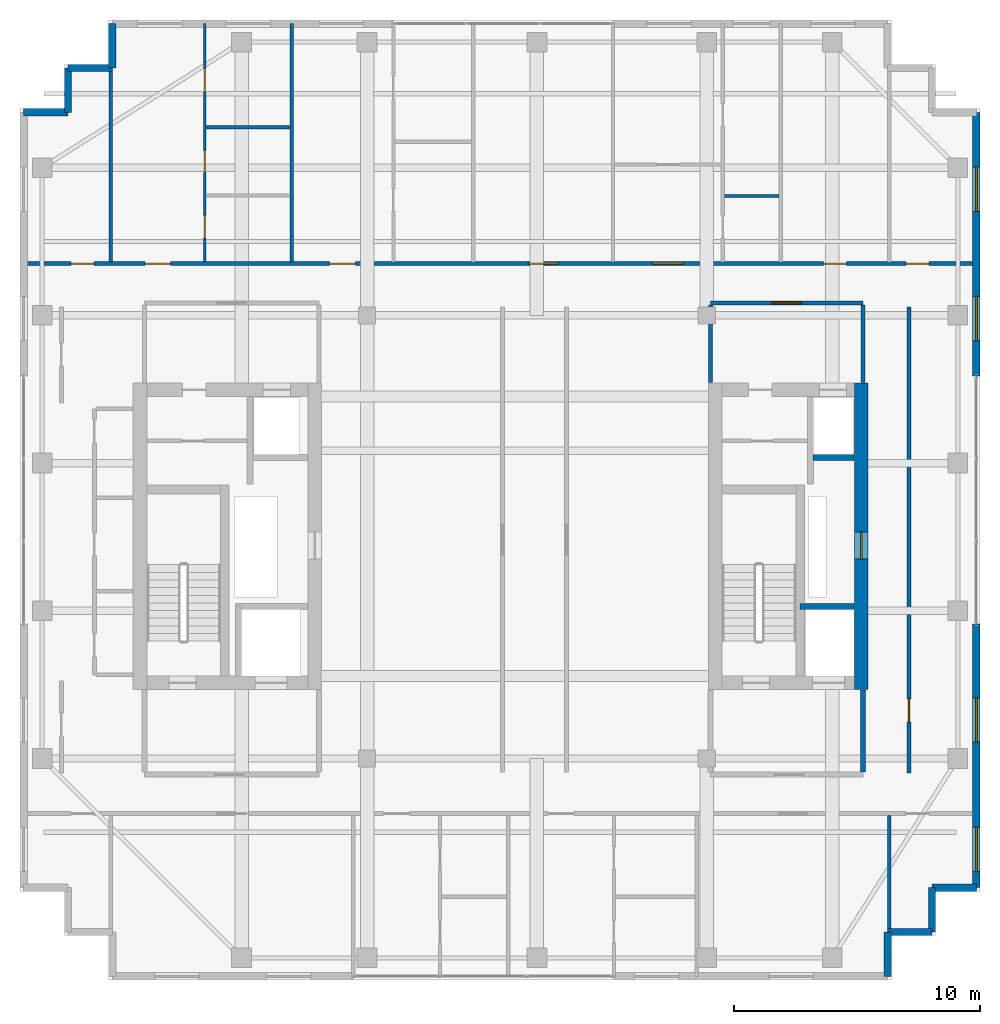
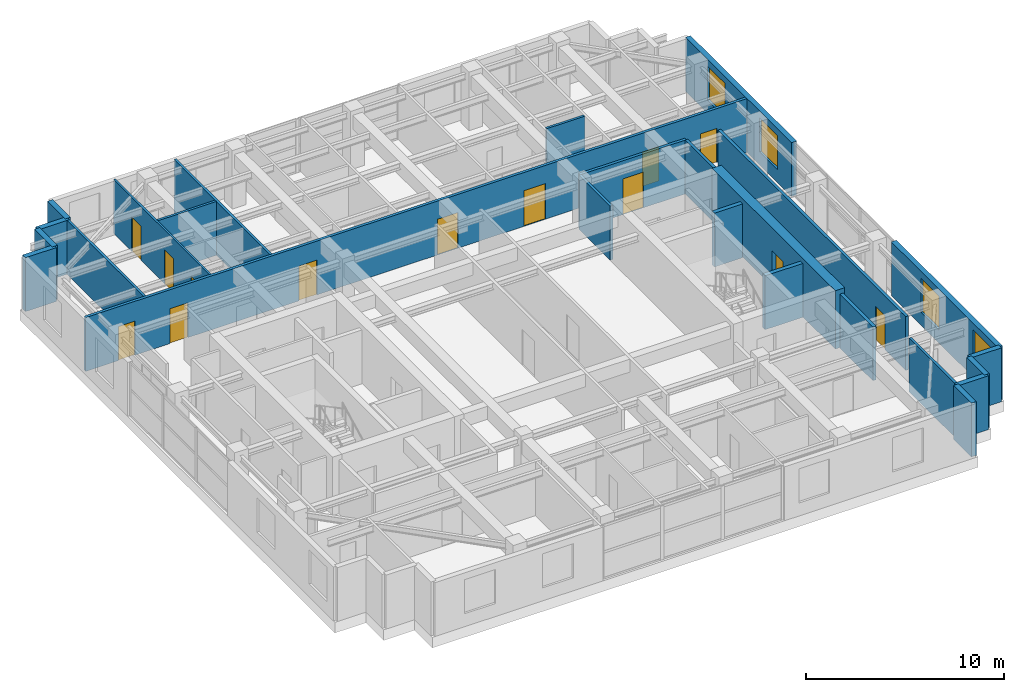
# One storey, part 19 of 21: 25 walls, 13 doors, 4 windows, 17 openings.
"""IFC4 building model written with IfcOpenShell, lengths in metres."""

from ifc_helpers import new_model, si_unit, direction, frame, frame_2d, origin, place, context, subcontext, project, spatial, rectangle, extrude, source, transform, mapped, material, layer, layer_set, type_object, element, fill, save


model = new_model("IFC4")

# Units and contexts
model_context = context("Model", 3, precision=1e-05, world=origin(), true_north=direction((0.0, 1.0)))
body_context = subcontext(model_context, "Body", "Model", "MODEL_VIEW")
ifc_project = project(units=[si_unit("LENGTHUNIT", "METRE"), si_unit("AREAUNIT", "SQUARE_METRE"), si_unit("VOLUMEUNIT", "CUBIC_METRE"), si_unit("PLANEANGLEUNIT", "RADIAN"), si_unit("MASSUNIT", "GRAM", prefix="KILO")], contexts=[model_context])

# Site, building, storey
site_placement = place(None, origin())
site = spatial("IfcSite", under=ifc_project, at=site_placement, CompositionType="ELEMENT")
building_placement = place(site_placement, origin())
building = spatial("IfcBuilding", under=site, at=building_placement, Name="Khoralis Quay Care Tower", CompositionType="ELEMENT")
storey_placement = place(building_placement, frame((0.0, 0.0, 267.300048828125)))
storey = spatial("IfcBuildingStorey", under=building, at=storey_placement, Name="L70", CompositionType="ELEMENT", Elevation=267.300048828125)

# Wall
ifc_material_1 = material(Name="Gypsum plasterboard on acoustic metal stud")
ifc_layer_1 = layer(ifc_material_1, 0.199951171875)
ifc_layer_set_1 = layer_set([ifc_layer_1], Name="Gypsum plasterboard on acoustic metal stud")
wall_type_1 = type_object("IfcWallType", Name="WL-COMP-200", PredefinedType="PARTITIONING", material=ifc_layer_set_1)
wall_1_placement = place(storey_placement, frame((37.25, 11.445068359375, 0.0), z_axis=(0.0, 0.0, 1.0), x_axis=(0.0, 1.0, 0.0)))
element("IfcWall", 1, at=wall_1_placement, inside=storey, type_object=wall_type_1, Name="L70 East Firefighting Lobby East Wall", PredefinedType="PARTITIONING", context=body_context, shape_type="SweptSolid", body=[
    extrude(rectangle(XDim=3.3349609375, YDim=0.199951171875, at=frame_2d((1.66748046875, 0.0))), origin(), (0.0, 0.0, 1.0), 3.320068359375),
])

# Wall, opening, door
ifc_material_2 = material(Name="Concrete C65/80", Category="concrete")
ifc_layer_2 = layer(ifc_material_2, 0.550048828125)
ifc_layer_set_2 = layer_set([ifc_layer_2], Name="Concrete C65/80")
wall_type_2 = type_object("IfcWallType", Name="WL-CORE-550", PredefinedType="SHEAR", material=ifc_layer_set_2)
wall_2_placement = place(storey_placement, frame((37.175048828125, 14.800048828125, 0.0), z_axis=(0.0, 0.0, 1.0), x_axis=(0.0, 1.0, 0.0)))
wall_2 = element("IfcWall", 2, at=wall_2_placement, inside=storey, type_object=wall_type_2, Name="L70 ECORE East Shear Wall", PredefinedType="SHEAR", context=body_context, shape_type="SweptSolid", body=[
    extrude(rectangle(XDim=12.449951171875, YDim=0.550048828125, at=frame_2d((6.22509765625, 0.0))), origin(), (0.0, 0.0, 1.0), 3.599853515625),
])
opening_1_placement = place(wall_2_placement, frame((5.300048828125, 0.0, 0.0)))
opening_1 = element("IfcOpeningElement", 3, at=opening_1_placement, cuts=wall_2, Name="Opening SD1", PredefinedType="OPENING", context=body_context, shape_type="SweptSolid", body=[
    extrude(rectangle(XDim=1.10009765625, YDim=2.199951171875, at=frame_2d((0.550048828125, 1.10009765625))), frame((0.0, 0.28515625, 0.0), z_axis=(0.0, -1.0, 0.0), x_axis=(1.0, 0.0, 0.0)), (0.0, 0.0, 1.0), 0.570068359375),
])
ifc_material_3 = material(Name="Fire-rated painted steel", Category="steel")
door_type_1 = type_object("IfcDoorType", Name="DR-STAIR-1100X2200", OperationType="NOTDEFINED", PredefinedType="DOOR", material=ifc_material_3)
shared_shape_1 = source(origin(), body_context, "Body", "SweptSolid", [
    extrude(rectangle(XDim=1.10009765625, YDim=2.199951171875, at=frame_2d((0.550048828125, 1.10009765625))), frame((0.0, 0.02490234375, 0.0), z_axis=(0.0, -1.0, 0.0), x_axis=(1.0, 0.0, 0.0)), (0.0, 0.0, 1.0), 0.050048828125),
])
door_1_placement = place(opening_1_placement, frame((1.10009765625, 0.0, 0.0), z_axis=(0.0, 0.0, 1.0), x_axis=(-1.0, 0.0, 0.0)))
door_1 = element("IfcDoor", 4, at=door_1_placement, inside=storey, type_object=door_type_1, Name="L70 East MEP Riser Door", OperationType="SINGLE_SWING_LEFT", OverallHeight=2.199951171875, OverallWidth=1.10009765625, PredefinedType="DOOR", context=body_context, shape_type="MappedRepresentation", body=[
    mapped(shared_shape_1, transform((0.0, 0.0, 0.0), scale=1.0)),
])
fill(opening_1, door_1)

ifc_layer_3 = layer(ifc_material_1, 0.1650390625)
ifc_layer_set_3 = layer_set([ifc_layer_3], Name="Gypsum plasterboard on acoustic metal stud")
wall_type_3 = type_object("IfcWallType", Name="WL-CORR-165", PredefinedType="PARTITIONING", material=ifc_layer_set_3)
wall_3_placement = place(storey_placement, frame((31.050048828125, 30.5, 0.0), z_axis=(0.0, 0.0, 1.0), x_axis=(1.0, 0.0, 0.0)))
wall_3 = element("IfcWall", 5, at=wall_3_placement, inside=storey, type_object=wall_type_3, Name="L70 East Lift Lobby North Wall", PredefinedType="PARTITIONING", context=body_context, shape_type="SweptSolid", body=[
    extrude(rectangle(XDim=6.199951171875, YDim=0.1650390625, at=frame_2d((3.10009765625, 0.0))), origin(), (0.0, 0.0, 1.0), 3.320068359375),
])
opening_2_placement = place(wall_3_placement, frame((2.5, 0.0, 0.0)))
opening_2 = element("IfcOpeningElement", 6, at=opening_2_placement, cuts=wall_3, Name="Opening FD1", PredefinedType="OPENING", context=body_context, shape_type="SweptSolid", body=[
    extrude(rectangle(XDim=1.199951171875, YDim=2.199951171875, at=frame_2d((0.60009765625, 1.10009765625))), frame((0.0, 0.092529296875, 0.0), z_axis=(0.0, -1.0, 0.0), x_axis=(1.0, 0.0, 0.0)), (0.0, 0.0, 1.0), 0.18505859375),
])
door_type_2 = type_object("IfcDoorType", Name="DR-FFL-1200X2200", OperationType="NOTDEFINED", PredefinedType="DOOR", material=ifc_material_3)
shared_shape_2 = source(origin(), body_context, "Body", "SweptSolid", [
    extrude(rectangle(XDim=1.199951171875, YDim=2.199951171875, at=frame_2d((0.60009765625, 1.10009765625))), frame((0.0, 0.02490234375, 0.0), z_axis=(0.0, -1.0, 0.0), x_axis=(1.0, 0.0, 0.0)), (0.0, 0.0, 1.0), 0.050048828125),
])
door_2_placement = place(opening_2_placement, origin())
door_2 = element("IfcDoor", 7, at=door_2_placement, inside=storey, type_object=door_type_2, Name="L70 East Lift Lobby Double Door", OperationType="DOUBLE_DOOR_SINGLE_SWING", OverallHeight=2.199951171875, OverallWidth=1.199951171875, PredefinedType="DOOR", context=body_context, shape_type="MappedRepresentation", body=[
    mapped(shared_shape_2, transform((0.0, 0.0, 0.0), scale=1.0)),
])
fill(opening_2, door_2)

# Walls
for number, where, z_axis, x_axis, name in (
    (8, (31.050048828125, 27.27001953125, 0.0), (0.0, 0.0, 1.0), (0.0, 1.0, 0.0), "L70 East Lift Lobby West Wall"),
    (9, (37.25, 27.27001953125, 0.0), (0.0, 0.0, 1.0), (0.0, 1.0, 0.0), "L70 East Lift Lobby East Wall"),
):
    element("IfcWall", number, at=place(storey_placement, frame(where, z_axis=z_axis, x_axis=x_axis)), inside=storey, type_object=wall_type_3, Name=name, PredefinedType="PARTITIONING", context=body_context, shape_type="SweptSolid", body=[
        extrude(rectangle(XDim=3.152587890625, YDim=0.1650390625, at=frame_2d((1.576171875, 0.0))), origin(), (0.0, 0.0, 1.0), 3.320068359375),
    ])

# Wall, openings, doors
wall_4_placement = place(storey_placement, frame((3.14501953125, 32.10009765625, 0.0), z_axis=(0.0, 0.0, 1.0), x_axis=(1.0, 0.0, 0.0)))
wall_4 = element("IfcWall", 10, at=wall_4_placement, inside=storey, type_object=wall_type_3, Name="L70 North Main Corridor Wall", PredefinedType="PARTITIONING", context=body_context, shape_type="SweptSolid", body=[
    extrude(rectangle(XDim=38.7099609375, YDim=0.1650390625, at=frame_2d((19.35498046875, 0.0))), origin(), (0.0, 0.0, 1.0), 3.320068359375),
])
opening_3_placement = place(wall_4_placement, frame((4.923583984375, 0.0, 0.0)))
opening_3 = element("IfcOpeningElement", 11, at=opening_3_placement, cuts=wall_4, Name="Opening UD1", PredefinedType="OPENING", context=body_context, shape_type="SweptSolid", body=[
    extrude(rectangle(XDim=1.050048828125, YDim=2.14990234375, at=frame_2d((0.52490234375, 1.074951171875))), frame((0.0, 0.092529296875, 0.0), z_axis=(0.0, -1.0, 0.0), x_axis=(1.0, 0.0, 0.0)), (0.0, 0.0, 1.0), 0.18505859375),
])
opening_4_placement = place(wall_4_placement, frame((12.43359375, 0.0, 0.0)))
opening_4 = element("IfcOpeningElement", 12, at=opening_4_placement, cuts=wall_4, Name="Opening UD1", PredefinedType="OPENING", context=body_context, shape_type="SweptSolid", body=[
    extrude(rectangle(XDim=1.050048828125, YDim=2.14990234375, at=frame_2d((0.52490234375, 1.074951171875))), frame((0.0, 0.092529296875, 0.0), z_axis=(0.0, -1.0, 0.0), x_axis=(1.0, 0.0, 0.0)), (0.0, 0.0, 1.0), 0.18505859375),
])
opening_5_placement = place(wall_4_placement, frame((20.5048828125, 0.0, 0.0)))
opening_5 = element("IfcOpeningElement", 13, at=opening_5_placement, cuts=wall_4, Name="Opening FD1", PredefinedType="OPENING", context=body_context, shape_type="SweptSolid", body=[
    extrude(rectangle(XDim=1.199951171875, YDim=2.199951171875, at=frame_2d((0.60009765625, 1.10009765625))), frame((0.0, 0.092529296875, 0.0), z_axis=(0.0, -1.0, 0.0), x_axis=(1.0, 0.0, 0.0)), (0.0, 0.0, 1.0), 0.18505859375),
])
opening_6_placement = place(wall_4_placement, frame((25.550048828125, 0.0, 0.0)))
opening_6 = element("IfcOpeningElement", 14, at=opening_6_placement, cuts=wall_4, Name="Opening CD1", PredefinedType="OPENING", context=body_context, shape_type="SweptSolid", body=[
    extrude(rectangle(XDim=1.25, YDim=2.199951171875, at=frame_2d((0.625, 1.10009765625))), frame((0.0, 0.092529296875, 0.0), z_axis=(0.0, -1.0, 0.0), x_axis=(1.0, 0.0, 0.0)), (0.0, 0.0, 1.0), 0.18505859375),
])
opening_7_placement = place(wall_4_placement, frame((32.489990234375, 0.0, 0.0)))
opening_7 = element("IfcOpeningElement", 15, at=opening_7_placement, cuts=wall_4, Name="Opening ID1", PredefinedType="OPENING", context=body_context, shape_type="SweptSolid", body=[
    extrude(rectangle(XDim=0.949951171875, YDim=2.10009765625, at=frame_2d((0.47509765625, 1.050048828125))), frame((0.0, 0.092529296875, 0.0), z_axis=(0.0, -1.0, 0.0), x_axis=(1.0, 0.0, 0.0)), (0.0, 0.0, 1.0), 0.18505859375),
])
opening_8_placement = place(wall_4_placement, frame((1.919921875, 0.0, 0.0)))
opening_8 = element("IfcOpeningElement", 16, at=opening_8_placement, cuts=wall_4, Name="Opening ID1", PredefinedType="OPENING", context=body_context, shape_type="SweptSolid", body=[
    extrude(rectangle(XDim=0.949951171875, YDim=2.10009765625, at=frame_2d((0.47509765625, 1.050048828125))), frame((0.0, 0.092529296875, 0.0), z_axis=(0.0, -1.0, 0.0), x_axis=(1.0, 0.0, 0.0)), (0.0, 0.0, 1.0), 0.18505859375),
])
opening_9_placement = place(wall_4_placement, frame((35.840087890625, 0.0, 0.0)))
opening_9 = element("IfcOpeningElement", 17, at=opening_9_placement, cuts=wall_4, Name="Opening ID1", PredefinedType="OPENING", context=body_context, shape_type="SweptSolid", body=[
    extrude(rectangle(XDim=0.949951171875, YDim=2.10009765625, at=frame_2d((0.47509765625, 1.050048828125))), frame((0.0, 0.092529296875, 0.0), z_axis=(0.0, -1.0, 0.0), x_axis=(1.0, 0.0, 0.0)), (0.0, 0.0, 1.0), 0.18505859375),
])
door_3_placement = place(opening_5_placement, origin())
door_3 = element("IfcDoor", 18, at=door_3_placement, inside=storey, type_object=door_type_2, Name="L70 Resident Communal Day Lounge Door", OperationType="DOUBLE_DOOR_SINGLE_SWING", OverallHeight=2.199951171875, OverallWidth=1.199951171875, PredefinedType="DOOR", context=body_context, shape_type="MappedRepresentation", body=[
    mapped(shared_shape_2, transform((0.0, 0.0, 0.0), scale=1.0)),
])
fill(opening_5, door_3)
ifc_material_4 = material(Name="Acoustic hardwood timber", Category="wood")
door_type_3 = type_object("IfcDoorType", Name="DR-CARE-1250X2200", OperationType="NOTDEFINED", PredefinedType="DOOR", material=ifc_material_4)
shared_shape_3 = source(origin(), body_context, "Body", "SweptSolid", [
    extrude(rectangle(XDim=1.25, YDim=2.199951171875, at=frame_2d((0.625, 1.10009765625))), frame((0.0, 0.02490234375, 0.0), z_axis=(0.0, -1.0, 0.0), x_axis=(1.0, 0.0, 0.0)), (0.0, 0.0, 1.0), 0.050048828125),
])
door_4_placement = place(opening_6_placement, origin())
door_4 = element("IfcDoor", 19, at=door_4_placement, inside=storey, type_object=door_type_3, Name="L70 Care Suite NB3 Clinical Door", OperationType="SINGLE_SWING_LEFT", OverallHeight=2.199951171875, OverallWidth=1.25, PredefinedType="DOOR", context=body_context, shape_type="MappedRepresentation", body=[
    mapped(shared_shape_3, transform((0.0, 0.0, 0.0), scale=1.0)),
])
fill(opening_6, door_4)
door_type_4 = type_object("IfcDoorType", Name="DR-ROOM-950X2100", OperationType="NOTDEFINED", PredefinedType="DOOR", material=ifc_material_4)
shared_shape_4 = source(origin(), body_context, "Body", "SweptSolid", [
    extrude(rectangle(XDim=0.949951171875, YDim=2.10009765625, at=frame_2d((0.47509765625, 1.050048828125))), frame((0.0, 0.02490234375, 0.0), z_axis=(0.0, -1.0, 0.0), x_axis=(1.0, 0.0, 0.0)), (0.0, 0.0, 1.0), 0.050048828125),
])
door_5_placement = place(opening_7_placement, origin())
door_5 = element("IfcDoor", 20, at=door_5_placement, inside=storey, type_object=door_type_4, Name="L70 Family Case Conference Room Door", OperationType="SINGLE_SWING_LEFT", OverallHeight=2.10009765625, OverallWidth=0.949951171875, PredefinedType="DOOR", context=body_context, shape_type="MappedRepresentation", body=[
    mapped(shared_shape_4, transform((0.0, 0.0, 0.0), scale=1.0)),
])
fill(opening_7, door_5)
door_6_placement = place(opening_8_placement, origin())
door_6 = element("IfcDoor", 21, at=door_6_placement, inside=storey, type_object=door_type_4, Name="L70 NW Corner Door", OperationType="SINGLE_SWING_RIGHT", OverallHeight=2.10009765625, OverallWidth=0.949951171875, PredefinedType="DOOR", context=body_context, shape_type="MappedRepresentation", body=[
    mapped(shared_shape_4, transform((0.0, 0.0, 0.0), scale=1.0)),
])
fill(opening_8, door_6)
door_7_placement = place(opening_9_placement, origin())
door_7 = element("IfcDoor", 22, at=door_7_placement, inside=storey, type_object=door_type_4, Name="L70 NE Corner Door", OperationType="SINGLE_SWING_LEFT", OverallHeight=2.10009765625, OverallWidth=0.949951171875, PredefinedType="DOOR", context=body_context, shape_type="MappedRepresentation", body=[
    mapped(shared_shape_4, transform((0.0, 0.0, 0.0), scale=1.0)),
])
fill(opening_9, door_7)
door_type_5 = type_object("IfcDoorType", Name="DR-SUITE-1050X2150", OperationType="NOTDEFINED", PredefinedType="DOOR", material=ifc_material_4)
shared_shape_5 = source(origin(), body_context, "Body", "SweptSolid", [
    extrude(rectangle(XDim=1.050048828125, YDim=2.14990234375, at=frame_2d((0.52490234375, 1.074951171875))), frame((0.0, 0.02490234375, 0.0), z_axis=(0.0, -1.0, 0.0), x_axis=(1.0, 0.0, 0.0)), (0.0, 0.0, 1.0), 0.050048828125),
])
door_8_placement = place(opening_3_placement, origin())
door_8 = element("IfcDoor", 23, at=door_8_placement, inside=storey, type_object=door_type_5, Name="L70 Apartment NB0 Entrance Door", OperationType="SINGLE_SWING_RIGHT", OverallHeight=2.14990234375, OverallWidth=1.050048828125, PredefinedType="DOOR", context=body_context, shape_type="MappedRepresentation", body=[
    mapped(shared_shape_5, transform((0.0, 0.0, 0.0), scale=1.0)),
])
fill(opening_3, door_8)
door_9_placement = place(opening_4_placement, origin())
door_9 = element("IfcDoor", 24, at=door_9_placement, inside=storey, type_object=door_type_5, Name="L70 Studio NB1 Entrance", OperationType="SINGLE_SWING_LEFT", OverallHeight=2.14990234375, OverallWidth=1.050048828125, PredefinedType="DOOR", context=body_context, shape_type="MappedRepresentation", body=[
    mapped(shared_shape_5, transform((0.0, 0.0, 0.0), scale=1.0)),
])
fill(opening_4, door_9)

# Wall, opening, door
wall_5_placement = place(storey_placement, frame((39.1201171875, 11.39990234375, 0.0), z_axis=(0.0, 0.0, 1.0), x_axis=(0.0, 1.0, 0.0)))
wall_5 = element("IfcWall", 25, at=wall_5_placement, inside=storey, type_object=wall_type_3, Name="L70 East Sky Suite Wall", PredefinedType="PARTITIONING", context=body_context, shape_type="SweptSolid", body=[
    extrude(rectangle(XDim=18.9501953125, YDim=0.1650390625, at=frame_2d((9.47509765625, 0.0))), origin(), (0.0, 0.0, 1.0), 3.320068359375),
])
opening_10_placement = place(wall_5_placement, frame((2.074951171875, 0.0, 0.0)))
opening_10 = element("IfcOpeningElement", 26, at=opening_10_placement, cuts=wall_5, Name="Opening ID1", PredefinedType="OPENING", context=body_context, shape_type="SweptSolid", body=[
    extrude(rectangle(XDim=0.949951171875, YDim=2.10009765625, at=frame_2d((0.47509765625, 1.050048828125))), frame((0.0, 0.092529296875, 0.0), z_axis=(0.0, -1.0, 0.0), x_axis=(1.0, 0.0, 0.0)), (0.0, 0.0, 1.0), 0.18505859375),
])
door_10_placement = place(opening_10_placement, origin())
door_10 = element("IfcDoor", 27, at=door_10_placement, inside=storey, type_object=door_type_4, Name="L70 East Suite Door", OperationType="SINGLE_SWING_RIGHT", OverallHeight=2.10009765625, OverallWidth=0.949951171875, PredefinedType="DOOR", context=body_context, shape_type="MappedRepresentation", body=[
    mapped(shared_shape_4, transform((0.0, 0.0, 0.0), scale=1.0)),
])
fill(opening_10, door_10)

# Walls
ifc_material_5 = material(Name="Precast concrete C45/55", Category="concrete")
ifc_layer_4 = layer(ifc_material_5, 0.300048828125)
ifc_layer_set_4 = layer_set([ifc_layer_4], Name="Precast concrete C45/55")
wall_type_4 = type_object("IfcWallType", Name="WL-EXT-REF-300", PredefinedType="SOLIDWALL", material=ifc_layer_set_4)
for number, where, z_axis, x_axis, name in (
    (28, (38.25, 3.14990234375, 0.0), (0.0, 0.0, 1.0), (0.0, 1.0, 0.0), "L70 External Facade Wall WL-EXT-L70-P1-C1"),
    (29, (38.25, 4.949951171875, 0.0), (0.0, 0.0, 1.0), (1.0, 0.0, 0.0), "L70 External Facade Wall WL-EXT-L70-P1-C2"),
    (30, (40.050048828125, 4.949951171875, 0.0), (0.0, 0.0, 1.0), (0.0, 1.0, 0.0), "L70 External Facade Wall WL-EXT-L70-P1-C3"),
    (31, (40.050048828125, 6.75, 0.0), (0.0, 0.0, 1.0), (1.0, 0.0, 0.0), "L70 External Facade Wall WL-EXT-L70-P1-C4"),
):
    element("IfcWall", number, at=place(storey_placement, frame(where, z_axis=z_axis, x_axis=x_axis)), inside=storey, type_object=wall_type_4, Name=name, PredefinedType="SOLIDWALL", context=body_context, shape_type="SweptSolid", body=[
        extrude(rectangle(XDim=1.800048828125, YDim=0.300048828125, at=frame_2d((0.89990234375, 0.0))), origin(), (0.0, 0.0, 1.0), 3.320068359375),
    ])

# Wall, openings, windows
wall_6_placement = place(storey_placement, frame((41.85009765625, 6.75, 0.0), z_axis=(0.0, 0.0, 1.0), x_axis=(0.0, 1.0, 0.0)))
wall_6 = element("IfcWall", 32, at=wall_6_placement, inside=storey, type_object=wall_type_4, Name="L70 External Facade Wall WL-EXT-L70-P1-E5A", PredefinedType="SOLIDWALL", context=body_context, shape_type="SweptSolid", body=[
    extrude(rectangle(XDim=10.7099609375, YDim=0.300048828125, at=frame_2d((5.35498046875, 0.0))), origin(), (0.0, 0.0, 1.0), 3.320068359375),
])
opening_11_placement = place(wall_6_placement, frame((0.655029296875, 0.0, 0.800048828125)))
opening_11 = element("IfcOpeningElement", 33, at=opening_11_placement, cuts=wall_6, Name="Opening W2", PredefinedType="OPENING", context=body_context, shape_type="SweptSolid", body=[
    extrude(rectangle(XDim=1.800048828125, YDim=2.10009765625, at=frame_2d((0.89990234375, 1.050048828125))), frame((0.0, 0.16015625, 0.0), z_axis=(0.0, -1.0, 0.0), x_axis=(1.0, 0.0, 0.0)), (0.0, 0.0, 1.0), 0.320068359375),
])
opening_12_placement = place(wall_6_placement, frame((5.909912109375, 0.0, 0.800048828125)))
opening_12 = element("IfcOpeningElement", 34, at=opening_12_placement, cuts=wall_6, Name="Opening W2", PredefinedType="OPENING", context=body_context, shape_type="SweptSolid", body=[
    extrude(rectangle(XDim=1.800048828125, YDim=2.10009765625, at=frame_2d((0.89990234375, 1.050048828125))), frame((0.0, 0.16015625, 0.0), z_axis=(0.0, -1.0, 0.0), x_axis=(1.0, 0.0, 0.0)), (0.0, 0.0, 1.0), 0.320068359375),
])
ifc_material_6 = material(Name="Low-E solar-control double glazing", Category="glass")
window_type = type_object("IfcWindowType", Name="WN-POD-1800X2100", PartitioningType="SINGLE_PANEL", PredefinedType="WINDOW", material=ifc_material_6)
shared_shape_6 = source(origin(), body_context, "Body", "SweptSolid", [
    extrude(rectangle(XDim=1.800048828125, YDim=2.10009765625, at=frame_2d((0.89990234375, 1.050048828125))), frame((0.0, 0.030029296875, 0.0), z_axis=(0.0, -1.0, 0.0), x_axis=(1.0, 0.0, 0.0)), (0.0, 0.0, 1.0), 0.06005859375),
])
window_1_placement = place(opening_11_placement, origin())
window_1 = element("IfcWindow", 35, at=window_1_placement, inside=storey, type_object=window_type, Name="WN-L70-P1-E5A Facade Window 01", OverallHeight=2.10009765625, OverallWidth=1.800048828125, PartitioningType="SINGLE_PANEL", PredefinedType="WINDOW", context=body_context, shape_type="MappedRepresentation", body=[
    mapped(shared_shape_6, transform((0.0, 0.0, 0.0), scale=1.0)),
])
fill(opening_11, window_1)
window_2_placement = place(opening_12_placement, origin())
window_2 = element("IfcWindow", 36, at=window_2_placement, inside=storey, type_object=window_type, Name="WN-L70-P1-E5A Facade Window 02", OverallHeight=2.10009765625, OverallWidth=1.800048828125, PartitioningType="SINGLE_PANEL", PredefinedType="WINDOW", context=body_context, shape_type="MappedRepresentation", body=[
    mapped(shared_shape_6, transform((0.0, 0.0, 0.0), scale=1.0)),
])
fill(opening_12, window_2)

wall_7_placement = place(storey_placement, frame((41.85009765625, 27.5400390625, 0.0), z_axis=(0.0, 0.0, 1.0), x_axis=(0.0, 1.0, 0.0)))
wall_7 = element("IfcWall", 37, at=wall_7_placement, inside=storey, type_object=wall_type_4, Name="L70 External Facade Wall WL-EXT-L70-P1-E5B", PredefinedType="SOLIDWALL", context=body_context, shape_type="SweptSolid", body=[
    extrude(rectangle(XDim=10.7099609375, YDim=0.300048828125, at=frame_2d((5.35498046875, 0.0))), origin(), (0.0, 0.0, 1.0), 3.320068359375),
])
opening_13_placement = place(wall_7_placement, frame((1.429931640625, 0.0, 0.800048828125)))
opening_13 = element("IfcOpeningElement", 38, at=opening_13_placement, cuts=wall_7, Name="Opening W2", PredefinedType="OPENING", context=body_context, shape_type="SweptSolid", body=[
    extrude(rectangle(XDim=1.800048828125, YDim=2.10009765625, at=frame_2d((0.89990234375, 1.050048828125))), frame((0.0, 0.16015625, 0.0), z_axis=(0.0, -1.0, 0.0), x_axis=(1.0, 0.0, 0.0)), (0.0, 0.0, 1.0), 0.320068359375),
])
opening_14_placement = place(wall_7_placement, frame((6.68505859375, 0.0, 0.800048828125)))
opening_14 = element("IfcOpeningElement", 39, at=opening_14_placement, cuts=wall_7, Name="Opening W2", PredefinedType="OPENING", context=body_context, shape_type="SweptSolid", body=[
    extrude(rectangle(XDim=1.800048828125, YDim=2.10009765625, at=frame_2d((0.89990234375, 1.050048828125))), frame((0.0, 0.16015625, 0.0), z_axis=(0.0, -1.0, 0.0), x_axis=(1.0, 0.0, 0.0)), (0.0, 0.0, 1.0), 0.320068359375),
])
window_3_placement = place(opening_13_placement, origin())
window_3 = element("IfcWindow", 40, at=window_3_placement, inside=storey, type_object=window_type, Name="WN-L70-P1-E5B Facade Window 01", OverallHeight=2.10009765625, OverallWidth=1.800048828125, PartitioningType="SINGLE_PANEL", PredefinedType="WINDOW", context=body_context, shape_type="MappedRepresentation", body=[
    mapped(shared_shape_6, transform((0.0, 0.0, 0.0), scale=1.0)),
])
fill(opening_13, window_3)
window_4_placement = place(opening_14_placement, origin())
window_4 = element("IfcWindow", 41, at=window_4_placement, inside=storey, type_object=window_type, Name="WN-L70-P1-E5B Facade Window 02", OverallHeight=2.10009765625, OverallWidth=1.800048828125, PartitioningType="SINGLE_PANEL", PredefinedType="WINDOW", context=body_context, shape_type="MappedRepresentation", body=[
    mapped(shared_shape_6, transform((0.0, 0.0, 0.0), scale=1.0)),
])
fill(opening_14, window_4)

# Walls
for number, where, z_axis, x_axis, name in (
    (42, (6.75, 41.85009765625, 0.0), (0.0, 0.0, 1.0), (0.0, -1.0, 0.0), "L70 External Facade Wall WL-EXT-L70-P1-C11"),
    (43, (6.75, 40.050048828125, 0.0), (0.0, 0.0, 1.0), (-1.0, 0.0, 0.0), "L70 External Facade Wall WL-EXT-L70-P1-C12"),
    (44, (4.949951171875, 40.050048828125, 0.0), (0.0, 0.0, 1.0), (0.0, -1.0, 0.0), "L70 External Facade Wall WL-EXT-L70-P1-C13"),
    (45, (4.949951171875, 38.25, 0.0), (0.0, 0.0, 1.0), (-1.0, 0.0, 0.0), "L70 External Facade Wall WL-EXT-L70-P1-C14"),
):
    element("IfcWall", number, at=place(storey_placement, frame(where, z_axis=z_axis, x_axis=x_axis)), inside=storey, type_object=wall_type_4, Name=name, PredefinedType="SOLIDWALL", context=body_context, shape_type="SweptSolid", body=[
        extrude(rectangle(XDim=1.800048828125, YDim=0.300048828125, at=frame_2d((0.89990234375, 0.0))), origin(), (0.0, 0.0, 1.0), 3.320068359375),
    ])

# Wall, openings, doors
ifc_layer_5 = layer(ifc_material_1, 0.114990234375)
ifc_layer_set_5 = layer_set([ifc_layer_5], Name="Gypsum plasterboard on acoustic metal stud")
wall_type_5 = type_object("IfcWallType", Name="WL-PART-115", PredefinedType="PARTITIONING", material=ifc_layer_set_5)
wall_8_placement = place(storey_placement, frame((10.507080078125, 32.177490234375, 0.0), z_axis=(0.0, 0.0, 1.0), x_axis=(0.0, 1.0, 0.0)))
wall_8 = element("IfcWall", 46, at=wall_8_placement, inside=storey, type_object=wall_type_5, Name="L70 Unit 0 Internal Wall", PredefinedType="PARTITIONING", context=body_context, shape_type="SweptSolid", body=[
    extrude(rectangle(XDim=9.677490234375, YDim=0.114990234375, at=frame_2d((4.8388671875, 0.0))), origin(), (0.0, 0.0, 1.0), 3.320068359375),
])
opening_15_placement = place(wall_8_placement, frame((6.89453125, 0.0, 0.0)))
opening_15 = element("IfcOpeningElement", 47, at=opening_15_placement, cuts=wall_8, Name="Opening ID1", PredefinedType="OPENING", context=body_context, shape_type="SweptSolid", body=[
    extrude(rectangle(XDim=0.949951171875, YDim=2.10009765625, at=frame_2d((0.47509765625, 1.050048828125))), frame((0.0, 0.0673828125, 0.0), z_axis=(0.0, -1.0, 0.0), x_axis=(1.0, 0.0, 0.0)), (0.0, 0.0, 1.0), 0.135009765625),
])
opening_16_placement = place(wall_8_placement, frame((3.630615234375, 0.0, 0.0)))
opening_16 = element("IfcOpeningElement", 48, at=opening_16_placement, cuts=wall_8, Name="Opening WD1", PredefinedType="OPENING", context=body_context, shape_type="SweptSolid", body=[
    extrude(rectangle(XDim=0.89990234375, YDim=2.10009765625, at=frame_2d((0.449951171875, 1.050048828125))), frame((0.0, 0.0673828125, 0.0), z_axis=(0.0, -1.0, 0.0), x_axis=(1.0, 0.0, 0.0)), (0.0, 0.0, 1.0), 0.135009765625),
])
opening_17_placement = place(wall_8_placement, frame((0.973388671875, 0.0, 0.0)))
opening_17 = element("IfcOpeningElement", 49, at=opening_17_placement, cuts=wall_8, Name="Opening WD1", PredefinedType="OPENING", context=body_context, shape_type="SweptSolid", body=[
    extrude(rectangle(XDim=0.89990234375, YDim=2.10009765625, at=frame_2d((0.449951171875, 1.050048828125))), frame((0.0, 0.0673828125, 0.0), z_axis=(0.0, -1.0, 0.0), x_axis=(1.0, 0.0, 0.0)), (0.0, 0.0, 1.0), 0.135009765625),
])
door_type_6 = type_object("IfcDoorType", Name="DR-BATH-900X2100", OperationType="NOTDEFINED", PredefinedType="DOOR", material=ifc_material_4)
shared_shape_7 = source(origin(), body_context, "Body", "SweptSolid", [
    extrude(rectangle(XDim=0.89990234375, YDim=2.10009765625, at=frame_2d((0.449951171875, 1.050048828125))), frame((0.0, 0.02490234375, 0.0), z_axis=(0.0, -1.0, 0.0), x_axis=(1.0, 0.0, 0.0)), (0.0, 0.0, 1.0), 0.050048828125),
])
door_11_placement = place(opening_16_placement, frame((0.89990234375, 0.0, 0.0), z_axis=(0.0, 0.0, 1.0), x_axis=(-1.0, 0.0, 0.0)))
door_11 = element("IfcDoor", 50, at=door_11_placement, inside=storey, type_object=door_type_6, Name="L70 Apartment NB0 KIT Door", OperationType="SINGLE_SWING_RIGHT", OverallHeight=2.10009765625, OverallWidth=0.89990234375, PredefinedType="DOOR", context=body_context, shape_type="MappedRepresentation", body=[
    mapped(shared_shape_7, transform((0.0, 0.0, 0.0), scale=1.0)),
])
fill(opening_16, door_11)
door_12_placement = place(opening_17_placement, frame((0.89990234375, 0.0, 0.0), z_axis=(0.0, 0.0, 1.0), x_axis=(-1.0, 0.0, 0.0)))
door_12 = element("IfcDoor", 51, at=door_12_placement, inside=storey, type_object=door_type_6, Name="L70 Apartment NB0 BTH Door", OperationType="SINGLE_SWING_LEFT", OverallHeight=2.10009765625, OverallWidth=0.89990234375, PredefinedType="DOOR", context=body_context, shape_type="MappedRepresentation", body=[
    mapped(shared_shape_7, transform((0.0, 0.0, 0.0), scale=1.0)),
])
fill(opening_17, door_12)
door_13_placement = place(opening_15_placement, frame((0.949951171875, 0.0, 0.0), z_axis=(0.0, 0.0, 1.0), x_axis=(-1.0, 0.0, 0.0)))
door_13 = element("IfcDoor", 52, at=door_13_placement, inside=storey, type_object=door_type_4, Name="L70 Apartment NB0 BED Door", OperationType="SINGLE_SWING_LEFT", OverallHeight=2.10009765625, OverallWidth=0.949951171875, PredefinedType="DOOR", context=body_context, shape_type="MappedRepresentation", body=[
    mapped(shared_shape_4, transform((0.0, 0.0, 0.0), scale=1.0)),
])
fill(opening_15, door_13)

# Walls
ifc_material_7 = material(Name="Moisture-resistant gypsum and ceramic tile")
ifc_layer_6 = layer(ifc_material_7, 0.280029296875)
ifc_layer_set_6 = layer_set([ifc_layer_6], Name="Moisture-resistant gypsum and ceramic tile")
wall_type_6 = type_object("IfcWallType", Name="WL-PLUMB-280", PredefinedType="PLUMBINGWALL", material=ifc_layer_set_6)
wall_9_placement = place(storey_placement, frame((10.5595703125, 37.64404296875, 0.0), z_axis=(0.0, 0.0, 1.0), x_axis=(1.0, 0.0, 0.0)))
element("IfcWall", 53, at=wall_9_placement, inside=storey, type_object=wall_type_6, Name="L70 Unit 0 Wet Wall", PredefinedType="PLUMBINGWALL", context=body_context, shape_type="SweptSolid", body=[
    extrude(rectangle(XDim=3.41552734375, YDim=0.139892578125, at=frame_2d((1.707763671875, 0.0))), origin(), (0.0, 0.0, 1.0), 3.320068359375),
])
wall_10_placement = place(storey_placement, frame((31.614990234375, 34.85009765625, 0.0), z_axis=(0.0, 0.0, 1.0), x_axis=(1.0, 0.0, 0.0)))
element("IfcWall", 54, at=wall_10_placement, inside=storey, type_object=wall_type_6, Name="L70 Care Suite 3 En-Suite Wall H", PredefinedType="PLUMBINGWALL", context=body_context, shape_type="SweptSolid", body=[
    extrude(rectangle(XDim=2.219970703125, YDim=0.139892578125, at=frame_2d((1.10986328125, 0.0))), origin(), (0.0, 0.0, 1.0), 3.320068359375),
])
ifc_layer_7 = layer(ifc_material_1, 0.239990234375)
ifc_layer_set_7 = layer_set([ifc_layer_7], Name="Gypsum plasterboard on acoustic metal stud")
wall_type_7 = type_object("IfcWallType", Name="WL-SHAFT-240", PredefinedType="PARTITIONING", material=ifc_layer_set_7)
wall_11_placement = place(storey_placement, frame((34.679931640625, 18.169921875, 0.0), z_axis=(0.0, 0.0, 1.0), x_axis=(1.0, 0.0, 0.0)))
element("IfcWall", 55, at=wall_11_placement, inside=storey, type_object=wall_type_7, Name="L70 FFL-2 Shaft Wall North", PredefinedType="PARTITIONING", context=body_context, shape_type="SweptSolid", body=[
    extrude(rectangle(XDim=2.199951171875, YDim=0.239990234375, at=frame_2d((1.10009765625, 0.0))), origin(), (0.0, 0.0, 1.0), 3.320068359375),
])
wall_12_placement = place(storey_placement, frame((35.22509765625, 24.22998046875, 0.0), z_axis=(0.0, 0.0, 1.0), x_axis=(1.0, 0.0, 0.0)))
element("IfcWall", 56, at=wall_12_placement, inside=storey, type_object=wall_type_7, Name="L70 High-Rise Shaft South Wall East", PredefinedType="PARTITIONING", context=body_context, shape_type="SweptSolid", body=[
    extrude(rectangle(XDim=1.65478515625, YDim=0.239990234375, at=frame_2d((0.827392578125, 0.0))), origin(), (0.0, 0.0, 1.0), 3.320068359375),
])
ifc_layer_8 = layer(ifc_material_1, 0.139892578125)
ifc_layer_set_8 = layer_set([ifc_layer_8], Name="Gypsum plasterboard on acoustic metal stud")
wall_type_8 = type_object("IfcWallType", Name="WL-UNIT-140", PredefinedType="PARTITIONING", material=ifc_layer_set_8)
wall_13_placement = place(storey_placement, frame((38.320068359375, 4.945068359375, 0.0), z_axis=(0.0, 0.0, 1.0), x_axis=(0.0, 1.0, 0.0)))
element("IfcWall", 57, at=wall_13_placement, inside=storey, type_object=wall_type_8, Name="L70 SB Demising Wall 4", PredefinedType="PARTITIONING", context=body_context, shape_type="SweptSolid", body=[
    extrude(rectangle(XDim=4.737548828125, YDim=0.139892578125, at=frame_2d((2.36865234375, 0.0))), origin(), (0.0, 0.0, 1.0), 3.320068359375),
])
wall_14_placement = place(storey_placement, frame((6.679931640625, 32.177490234375, 0.0), z_axis=(0.0, 0.0, 1.0), x_axis=(0.0, 1.0, 0.0)))
element("IfcWall", 58, at=wall_14_placement, inside=storey, type_object=wall_type_8, Name="L70 NB Demising Wall 0", PredefinedType="PARTITIONING", context=body_context, shape_type="SweptSolid", body=[
    extrude(rectangle(XDim=7.87744140625, YDim=0.139892578125, at=frame_2d((3.938720703125, 0.0))), origin(), (0.0, 0.0, 1.0), 3.320068359375),
])
wall_15_placement = place(storey_placement, frame((14.0400390625, 32.177490234375, 0.0), z_axis=(0.0, 0.0, 1.0), x_axis=(0.0, 1.0, 0.0)))
element("IfcWall", 59, at=wall_15_placement, inside=storey, type_object=wall_type_8, Name="L70 NB Demising Wall 1", PredefinedType="PARTITIONING", context=body_context, shape_type="SweptSolid", body=[
    extrude(rectangle(XDim=9.677490234375, YDim=0.139892578125, at=frame_2d((4.8388671875, 0.0))), origin(), (0.0, 0.0, 1.0), 3.320068359375),
])

save(model, "model.ifc")
